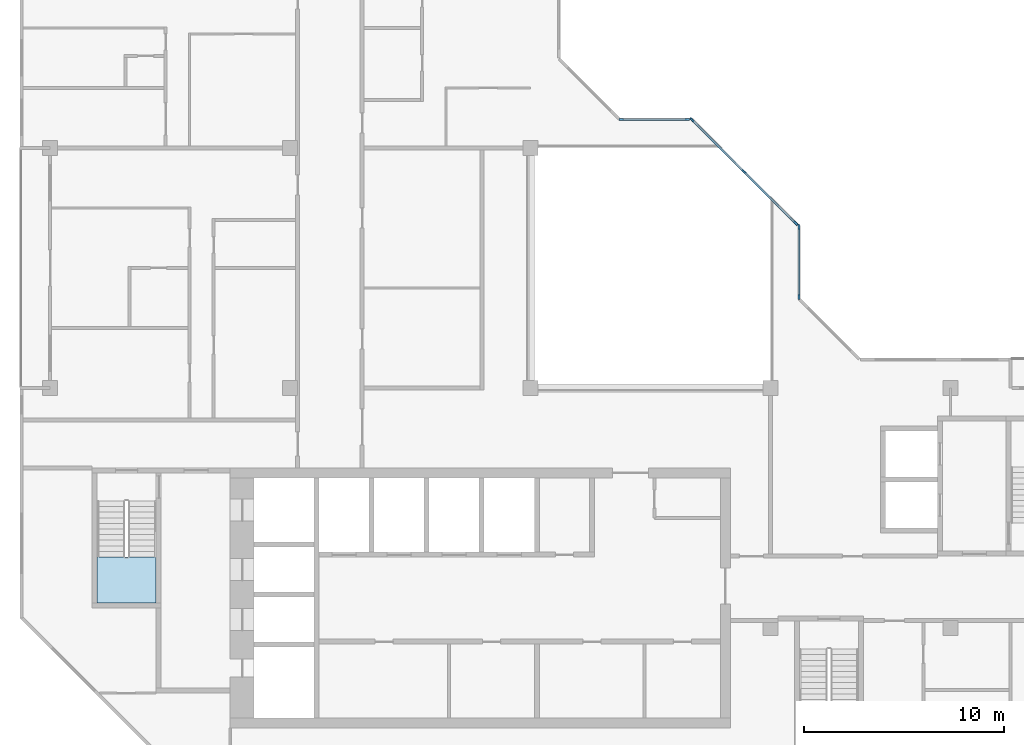
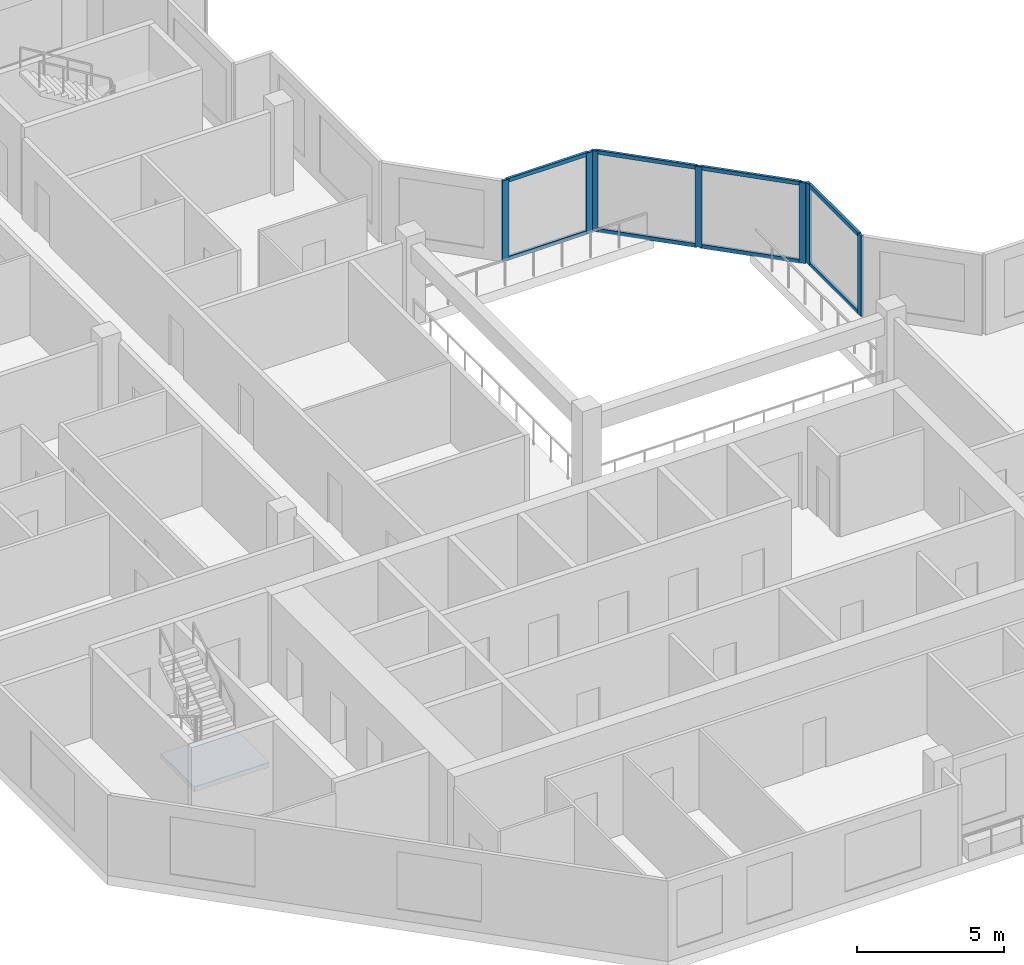
# One storey, part 2 of 12: 15 members, 1 slab, 4 elements without a shape of their own.
"""IFC4 building model written with IfcOpenShell, lengths in metres."""

import ifcopenshell
import ifcopenshell.guid

model = None  # the IFC model being written
_history = None  # IfcOwnerHistory: only IFC2X3 demands one
_inside = {}  # id of a spatial element -> (the spatial element, [elements in it])
_under = {}  # id of a project, library or spatial element -> (it, [spatial elements below it])
_declared = {}  # id of a project -> (the project, [libraries it declares])
_typed = {}  # id of a type object -> (the type object, [elements of that type])
_made_of = {}  # id of a material, layer set ... -> (it, [elements and type objects made of it])


def new_model(schema):
    """Start an empty IFC model of exactly this schema.

    Asked for "IFC4X3", IfcOpenShell would pick the latest addendum, in which some entities
    have other attributes; the version numbers below select the first issue.
    IFC2X3 requires an IfcOwnerHistory on every rooted entity: one is made here for all.
    """
    global model, _history
    if schema == "IFC4X3":
        model = ifcopenshell.file(schema_version=(4, 3, 0, 0))
    else:
        model = ifcopenshell.file(schema=schema)
    _inside.clear()
    _under.clear()
    _declared.clear()
    _typed.clear()
    _made_of.clear()
    _history = None
    if model.schema == "IFC2X3":
        org = make("IfcOrganization", Name="unknown")
        user = make(
            "IfcPersonAndOrganization",
            ThePerson=make("IfcPerson", FamilyName="unknown"),
            TheOrganization=org,
        )
        app = make(
            "IfcApplication",
            ApplicationDeveloper=org,
            Version="unknown",
            ApplicationFullName="unknown",
            ApplicationIdentifier="unknown",
        )
        _history = make(
            "IfcOwnerHistory",
            OwningUser=user,
            OwningApplication=app,
            ChangeAction="ADDED",
            CreationDate=0,
        )
    return model


def make(cls, **values):
    """One entity of the class cls with the attributes given. An attribute that is None is left unset."""
    return model.create_entity(
        cls, **{name: value for name, value in values.items() if value is not None}
    )


def rooted(cls, **values):
    """An entity with a GlobalId (a new one), such as an element, a storey or a relation."""
    return make(cls, GlobalId=ifcopenshell.guid.new(), OwnerHistory=_history, **values)


def si_unit(unit_type, name, prefix=None):
    """IfcSIUnit, for example si_unit("LENGTHUNIT", "METRE", prefix="MILLI")."""
    return make("IfcSIUnit", UnitType=unit_type, Prefix=prefix, Name=name)


def assignment(units):
    """IfcUnitAssignment: the units of a project."""
    return None if units is None else make("IfcUnitAssignment", Units=units)


def point(xyz):
    """IfcCartesianPoint."""
    return None if xyz is None else make("IfcCartesianPoint", Coordinates=xyz)


def direction(xyz):
    """IfcDirection."""
    return None if xyz is None else make("IfcDirection", DirectionRatios=xyz)


def frame(location, z_axis=None, x_axis=None):
    """IfcAxis2Placement3D, a coordinate frame: its origin and axes. An axis left out is left unset."""
    return make(
        "IfcAxis2Placement3D",
        Location=point(location),
        Axis=direction(z_axis),
        RefDirection=direction(x_axis),
    )


def frame_2d(location, x_axis=None):
    """IfcAxis2Placement2D, a coordinate frame in the plane: its origin and x axis."""
    return make(
        "IfcAxis2Placement2D", Location=point(location), RefDirection=direction(x_axis)
    )


def origin():
    """The frame at (0, 0, 0) with its axes left unset."""
    return frame((0.0, 0.0, 0.0))


def origin_2d():
    """The frame at (0, 0) in the plane with its x axis left unset."""
    return frame_2d((0.0, 0.0))


def place(relative_to, where):
    """IfcLocalPlacement: puts the frame where relative to a parent placement (None: the world)."""
    return make(
        "IfcLocalPlacement", PlacementRelTo=relative_to, RelativePlacement=where
    )


def context(
    kind, dimensions, precision=None, world=None, true_north=None, identifier=None
):
    """IfcGeometricRepresentationContext, for example the 3D "Model" context."""
    return make(
        "IfcGeometricRepresentationContext",
        ContextIdentifier=identifier,
        ContextType=kind,
        CoordinateSpaceDimension=dimensions,
        Precision=precision,
        WorldCoordinateSystem=world,
        TrueNorth=true_north,
    )


def subcontext(parent, identifier, kind, view, scale=None):
    """IfcGeometricRepresentationSubContext, for example "Body" below "Model"."""
    return make(
        "IfcGeometricRepresentationSubContext",
        ContextIdentifier=identifier,
        ContextType=kind,
        ParentContext=parent,
        TargetScale=scale,
        TargetView=view,
    )


def project(units=None, contexts=None):
    """IfcProject with its units and contexts."""
    return rooted(
        "IfcProject",
        Name="project",
        RepresentationContexts=contexts,
        UnitsInContext=assignment(units),
    )


def spatial(cls, under=None, at=None, **own):
    """A site, building, storey or space (cls), placed at a placement, below another one or the project."""
    s = rooted(cls, ObjectPlacement=at, **own)
    if under is not None:
        _under.setdefault(under.id(), (under, []))[1].append(s)
    return s


def polyline(points):
    """IfcPolyline through the points."""
    return make("IfcPolyline", Points=[point(p) for p in points])


def profile(cls, at=None, kind="AREA", **sizes):
    """A parametric profile (cls). Its sizes go by their IFC names, for example OverallWidth=200.0."""
    return make(cls, ProfileType=kind, Position=at, **sizes)


def rectangle(**sizes):
    """IfcRectangleProfileDef."""
    return profile("IfcRectangleProfileDef", **sizes)


def outline(outer, holes=None, kind="AREA"):
    """IfcArbitraryClosedProfileDef: a profile drawn as a closed curve; with holes, ...WithVoids."""
    if holes is None:
        return make("IfcArbitraryClosedProfileDef", ProfileType=kind, OuterCurve=outer)
    return make(
        "IfcArbitraryProfileDefWithVoids",
        ProfileType=kind,
        OuterCurve=outer,
        InnerCurves=holes,
    )


def extrude(swept, where, along, depth):
    """IfcExtrudedAreaSolid: the profile swept, set in the frame where, extruded along a direction by depth."""
    return make(
        "IfcExtrudedAreaSolid",
        SweptArea=swept,
        Position=where,
        ExtrudedDirection=direction(along),
        Depth=depth,
    )


def shape(context_of_items, identifier, shape_type, items):
    """IfcShapeRepresentation: the items that make up one representation, for example the "Body"."""
    return make(
        "IfcShapeRepresentation",
        ContextOfItems=context_of_items,
        RepresentationIdentifier=identifier,
        RepresentationType=shape_type,
        Items=items,
    )


def material(Name=None, Category=None):
    """IfcMaterial."""
    return make("IfcMaterial", Name=Name, Category=Category)


def layer(
    of_material, thickness, ventilated=None, Name=None, Category=None, Priority=None
):
    """IfcMaterialLayer: one layer of a wall or slab, of a material (None: an air gap)."""
    return make(
        "IfcMaterialLayer",
        Material=of_material,
        LayerThickness=thickness,
        IsVentilated=ventilated,
        Name=Name,
        Category=Category,
        Priority=Priority,
    )


def layer_set(layers, Name=None):
    """IfcMaterialLayerSet."""
    return make("IfcMaterialLayerSet", MaterialLayers=layers, LayerSetName=Name)


def material_profile(
    of_material, cross_section, Name=None, Category=None, Priority=None
):
    """IfcMaterialProfile: a cross section and its material."""
    return make(
        "IfcMaterialProfile",
        Name=Name,
        Material=of_material,
        Profile=cross_section,
        Priority=Priority,
        Category=Category,
    )


def profile_set(profiles, Name=None, composite=None):
    """IfcMaterialProfileSet."""
    return make(
        "IfcMaterialProfileSet",
        Name=Name,
        MaterialProfiles=profiles,
        CompositeProfile=composite,
    )


def made_of(thing, what):
    """Note that an element or type object is made of a material, layer set ...; save() writes the relation."""
    if what is not None:
        _made_of.setdefault(what.id(), (what, []))[1].append(thing)
    return thing


def type_object(cls, material=None, **own):
    """A type object (cls), such as IfcWallType, which elements share."""
    return made_of(rooted(cls, **own), material)


def element(
    cls,
    number,
    at=None,
    inside=None,
    cuts=None,
    type_object=None,
    material=None,
    context=None,
    identifier="Body",
    shape_type=None,
    held_by="IfcProductDefinitionShape",
    body=None,
    shapes=None,
    **own,
):
    """One element of the class cls, such as IfcWall. Its Tag is "e" and its number.

    at: its placement. inside: the storey or other place that contains it. cuts: it is an
    opening in that element (IfcRelVoidsElement). A single representation is given by context,
    identifier, shape_type and body (its items); several are given by shapes. held_by: the class
    of the entity that holds the representations. save() writes the other relations.
    """
    e = rooted(cls, Tag="e%d" % number, ObjectPlacement=at, **own)
    if body is not None:
        shapes = [shape(context, identifier, shape_type, body)]
    if shapes is not None:
        e.Representation = make(held_by, Representations=shapes)
    if inside is not None:
        _inside.setdefault(inside.id(), (inside, []))[1].append(e)
    if cuts is not None:
        rooted(
            "IfcRelVoidsElement", RelatingBuildingElement=cuts, RelatedOpeningElement=e
        )
    if type_object is not None:
        _typed.setdefault(type_object.id(), (type_object, []))[1].append(e)
    return made_of(e, material)


def aggregate(whole, parts):
    """IfcRelAggregates: a whole, such as a stair, and the parts it consists of."""
    return rooted("IfcRelAggregates", RelatingObject=whole, RelatedObjects=parts)


def save(model, path):
    """Write the relations noted so far, then the file.

    IfcRelAggregates (storeys below a building ...), IfcRelContainedInSpatialStructure (elements
    in a storey), IfcRelDefinesByType, IfcRelAssociatesMaterial and IfcRelDeclares: one each for
    every whole, place, type object, material and project.
    """
    for whole, parts in _under.values():
        aggregate(whole, parts)
    for where, things in _inside.values():
        rooted(
            "IfcRelContainedInSpatialStructure",
            RelatedElements=things,
            RelatingStructure=where,
        )
    for kind, things in _typed.values():
        rooted("IfcRelDefinesByType", RelatedObjects=things, RelatingType=kind)
    for what, things in _made_of.values():
        rooted("IfcRelAssociatesMaterial", RelatedObjects=things, RelatingMaterial=what)
    for by, libraries in _declared.values():
        rooted("IfcRelDeclares", RelatingContext=by, RelatedDefinitions=libraries)
    model.write(path)


model = new_model("IFC4")

# Units and contexts
model_context = context("Model", 3, precision=1e-05, world=origin(), true_north=direction((0.0, 1.0)))
body_context = subcontext(model_context, "Body", "Model", "MODEL_VIEW")
ifc_project = project(units=[si_unit("LENGTHUNIT", "METRE"), si_unit("AREAUNIT", "SQUARE_METRE"), si_unit("VOLUMEUNIT", "CUBIC_METRE"), si_unit("PLANEANGLEUNIT", "RADIAN"), si_unit("MASSUNIT", "GRAM", prefix="KILO")], contexts=[model_context])

# Site, building, storey
site_placement = place(None, origin())
site = spatial("IfcSite", under=ifc_project, at=site_placement, CompositionType="ELEMENT")
building_placement = place(site_placement, origin())
building = spatial("IfcBuilding", under=site, at=building_placement, Name="Chenar Terraces", CompositionType="ELEMENT")
storey_placement = place(building_placement, frame((0.0, 0.0, 357.64990234375)))
storey = spatial("IfcBuildingStorey", under=building, at=storey_placement, Name="L83", CompositionType="ELEMENT", Elevation=357.64990234375)

# Curtain wall, members
ifc_material_1 = material(Name="Aluminium framed glazing", Category="aluminium")
ifc_layer_1 = layer(ifc_material_1, 0.14990234375)
ifc_layer_set_1 = layer_set([ifc_layer_1], Name="Aluminium framed glazing")
curtain_wall_type = type_object("IfcCurtainWallType", Name="Atrium upper-zone curtain wall", PredefinedType="NOTDEFINED", material=ifc_layer_set_1)
placement = place(storey_placement, origin())
curtain_wall_1 = element("IfcCurtainWall", 1, at=placement, inside=storey, type_object=curtain_wall_type, Name="Atrium upper-zone curtain wall", PredefinedType="NOTDEFINED")
ifc_material_2 = material(Name="Aluminium", Category="aluminium")
ifc_material_profile_1 = material_profile(ifc_material_2, rectangle(XDim=0.10009765625, YDim=0.239990234375, at=origin_2d()), Name="Atrium upper-zone glazing mullion 100 x 240")
ifc_profile_set_1 = profile_set([ifc_material_profile_1], Name="Aluminium")
member_type_1 = type_object("IfcMemberType", Name="Atrium upper-zone glazing mullion 100 x 240", PredefinedType="MULLION", material=ifc_profile_set_1)
member_1_placement = place(storey_placement, frame((37.425048828125, 28.550048828125, 0.0), z_axis=(0.0, 0.0, 1.0), x_axis=(-1.0, 0.0, 0.0)))
member_1 = element("IfcMember", 2, at=member_1_placement, type_object=member_type_1, Name="CW8-1 mullion 1", PredefinedType="MULLION", context=body_context, shape_type="SweptSolid", body=[
    extrude(rectangle(XDim=0.10009765625, YDim=0.239990234375, at=origin_2d()), origin(), (0.0, 0.0, 1.0), 3.35009765625),
])
member_2_placement = place(storey_placement, frame((37.425048828125, 32.050048828125, 0.0), z_axis=(0.0, 0.0, 1.0), x_axis=(-1.0, 0.0, 0.0)))
member_2 = element("IfcMember", 3, at=member_2_placement, type_object=member_type_1, Name="CW8-1 mullion 2", PredefinedType="MULLION", context=body_context, shape_type="SweptSolid", body=[
    extrude(rectangle(XDim=0.10009765625, YDim=0.239990234375, at=origin_2d()), origin(), (0.0, 0.0, 1.0), 3.35009765625),
])

curtain_wall_2 = element("IfcCurtainWall", 4, at=placement, inside=storey, type_object=curtain_wall_type, Name="Atrium upper-zone curtain wall", PredefinedType="NOTDEFINED")
member_3_placement = place(storey_placement, frame((37.270263671875, 32.2236328125, 0.0), z_axis=(0.0, 0.0, 1.0), x_axis=(-0.707106781187, -0.707106781187, 0.0)))
member_3 = element("IfcMember", 5, at=member_3_placement, type_object=member_type_1, Name="CW8-2 mullion 1", PredefinedType="MULLION", context=body_context, shape_type="SweptSolid", body=[
    extrude(rectangle(XDim=0.10009765625, YDim=0.239990234375, at=origin_2d()), origin(), (0.0, 0.0, 1.0), 3.35009765625),
])
member_4_placement = place(storey_placement, frame((34.67626953125, 34.817626953125, 0.0), z_axis=(0.0, 0.0, 1.0), x_axis=(-0.707106781187, -0.707106781187, 0.0)))
member_4 = element("IfcMember", 6, at=member_4_placement, type_object=member_type_1, Name="CW8-2 mullion 2", PredefinedType="MULLION", context=body_context, shape_type="SweptSolid", body=[
    extrude(rectangle(XDim=0.10009765625, YDim=0.239990234375, at=origin_2d()), origin(), (0.0, 0.0, 1.0), 3.35009765625),
])
member_5_placement = place(storey_placement, frame((32.082275390625, 37.41162109375, 0.0), z_axis=(0.0, 0.0, 1.0), x_axis=(-0.707106781187, -0.707106781187, 0.0)))
member_5 = element("IfcMember", 7, at=member_5_placement, type_object=member_type_1, Name="CW8-2 mullion 3", PredefinedType="MULLION", context=body_context, shape_type="SweptSolid", body=[
    extrude(rectangle(XDim=0.10009765625, YDim=0.239990234375, at=origin_2d()), origin(), (0.0, 0.0, 1.0), 3.35009765625),
])

curtain_wall_3 = element("IfcCurtainWall", 8, at=placement, inside=storey, type_object=curtain_wall_type, Name="Atrium upper-zone curtain wall", PredefinedType="NOTDEFINED")
member_6_placement = place(storey_placement, frame((31.85009765625, 37.425048828125, 0.0), z_axis=(0.0, 0.0, 1.0), x_axis=(0.0, -1.0, 0.0)))
member_6 = element("IfcMember", 9, at=member_6_placement, type_object=member_type_1, Name="CW8-3 mullion 1", PredefinedType="MULLION", context=body_context, shape_type="SweptSolid", body=[
    extrude(rectangle(XDim=0.10009765625, YDim=0.239990234375, at=origin_2d()), origin(), (0.0, 0.0, 1.0), 3.35009765625),
])
member_7_placement = place(storey_placement, frame((28.550048828125, 37.425048828125, 0.0), z_axis=(0.0, 0.0, 1.0), x_axis=(0.0, -1.0, 0.0)))
member_7 = element("IfcMember", 10, at=member_7_placement, type_object=member_type_1, Name="CW8-3 mullion 2", PredefinedType="MULLION", context=body_context, shape_type="SweptSolid", body=[
    extrude(rectangle(XDim=0.10009765625, YDim=0.239990234375, at=origin_2d()), origin(), (0.0, 0.0, 1.0), 3.35009765625),
])

# Member
ifc_material_3 = material(Name="Aluminium", Category="aluminium")
ifc_material_profile_2 = material_profile(ifc_material_3, rectangle(XDim=0.10009765625, YDim=0.159912109375, at=origin_2d()), Name="Atrium upper-zone glazing transom 100 x 160")
ifc_profile_set_2 = profile_set([ifc_material_profile_2], Name="Aluminium")
member_type_2 = type_object("IfcMemberType", Name="Atrium upper-zone glazing transom 100 x 160", PredefinedType="USERDEFINED", material=ifc_profile_set_2)
member_8_placement = place(storey_placement, frame((37.425048828125, 28.60009765625, 0.050048828125), z_axis=(0.0, 1.0, 0.0), x_axis=(-1.0, 0.0, 0.0)))
member_8 = element("IfcMember", 11, at=member_8_placement, type_object=member_type_2, Name="CW8-1 transom 1.1", ObjectType="TRANSOM", PredefinedType="USERDEFINED", context=body_context, shape_type="SweptSolid", body=[
    extrude(rectangle(XDim=0.10009765625, YDim=0.159912109375, at=origin_2d()), origin(), (0.0, 0.0, 1.0), 3.39990234375),
])

member_9_placement = place(storey_placement, frame((37.425048828125, 28.60009765625, 3.300048828125), z_axis=(0.0, 1.0, 0.0), x_axis=(-1.0, 0.0, 0.0)))
member_9 = element("IfcMember", 12, at=member_9_placement, type_object=member_type_2, Name="CW8-1 transom 1.2", ObjectType="TRANSOM", PredefinedType="USERDEFINED", context=body_context, shape_type="SweptSolid", body=[
    extrude(rectangle(XDim=0.10009765625, YDim=0.159912109375, at=origin_2d()), origin(), (0.0, 0.0, 1.0), 3.39990234375),
])

aggregate(curtain_wall_1, [member_1, member_2, member_8, member_9])

member_10_placement = place(storey_placement, frame((37.23486328125, 32.259033203125, 0.050048828125), z_axis=(-0.707106781187, 0.707106781187, 0.0), x_axis=(-0.707106781187, -0.707106781187, 0.0)))
member_10 = element("IfcMember", 13, at=member_10_placement, type_object=member_type_2, Name="CW8-2 transom 1.1", ObjectType="TRANSOM", PredefinedType="USERDEFINED", context=body_context, shape_type="SweptSolid", body=[
    extrude(rectangle(XDim=0.10009765625, YDim=0.159912109375, at=origin_2d()), origin(), (0.0, 0.0, 1.0), 3.568359375),
])

member_11_placement = place(storey_placement, frame((37.23486328125, 32.259033203125, 3.300048828125), z_axis=(-0.707106781187, 0.707106781187, 0.0), x_axis=(-0.707106781187, -0.707106781187, 0.0)))
member_11 = element("IfcMember", 14, at=member_11_placement, type_object=member_type_2, Name="CW8-2 transom 1.2", ObjectType="TRANSOM", PredefinedType="USERDEFINED", context=body_context, shape_type="SweptSolid", body=[
    extrude(rectangle(XDim=0.10009765625, YDim=0.159912109375, at=origin_2d()), origin(), (0.0, 0.0, 1.0), 3.568359375),
])

member_12_placement = place(storey_placement, frame((34.640869140625, 34.85302734375, 0.050048828125), z_axis=(-0.707106781187, 0.707106781187, 0.0), x_axis=(-0.707106781187, -0.707106781187, 0.0)))
member_12 = element("IfcMember", 15, at=member_12_placement, type_object=member_type_2, Name="CW8-2 transom 2.1", ObjectType="TRANSOM", PredefinedType="USERDEFINED", context=body_context, shape_type="SweptSolid", body=[
    extrude(rectangle(XDim=0.10009765625, YDim=0.159912109375, at=origin_2d()), origin(), (0.0, 0.0, 1.0), 3.568359375),
])

member_13_placement = place(storey_placement, frame((34.640869140625, 34.85302734375, 3.300048828125), z_axis=(-0.707106781187, 0.707106781187, 0.0), x_axis=(-0.707106781187, -0.707106781187, 0.0)))
member_13 = element("IfcMember", 16, at=member_13_placement, type_object=member_type_2, Name="CW8-2 transom 2.2", ObjectType="TRANSOM", PredefinedType="USERDEFINED", context=body_context, shape_type="SweptSolid", body=[
    extrude(rectangle(XDim=0.10009765625, YDim=0.159912109375, at=origin_2d()), origin(), (0.0, 0.0, 1.0), 3.568359375),
])

aggregate(curtain_wall_2, [member_3, member_4, member_5, member_10, member_11, member_12, member_13])

member_14_placement = place(storey_placement, frame((31.800048828125, 37.425048828125, 0.050048828125), z_axis=(-1.0, 0.0, 0.0), x_axis=(0.0, -1.0, 0.0)))
member_14 = element("IfcMember", 17, at=member_14_placement, type_object=member_type_2, Name="CW8-3 transom 1.1", ObjectType="TRANSOM", PredefinedType="USERDEFINED", context=body_context, shape_type="SweptSolid", body=[
    extrude(rectangle(XDim=0.10009765625, YDim=0.159912109375, at=origin_2d()), origin(), (0.0, 0.0, 1.0), 3.199951171875),
])

member_15_placement = place(storey_placement, frame((31.800048828125, 37.425048828125, 3.300048828125), z_axis=(-1.0, 0.0, 0.0), x_axis=(0.0, -1.0, 0.0)))
member_15 = element("IfcMember", 18, at=member_15_placement, type_object=member_type_2, Name="CW8-3 transom 1.2", ObjectType="TRANSOM", PredefinedType="USERDEFINED", context=body_context, shape_type="SweptSolid", body=[
    extrude(rectangle(XDim=0.10009765625, YDim=0.159912109375, at=origin_2d()), origin(), (0.0, 0.0, 1.0), 3.199951171875),
])

aggregate(curtain_wall_3, [member_6, member_7, member_14, member_15])

# Stair, slab
ifc_material_4 = material(Name="Reinforced concrete C40/50", Category="concrete")
stair_type = type_object("IfcStairType", Name="Core stair 1400 half-turn", PredefinedType="HALF_TURN_STAIR", material=ifc_material_4)
stair = element("IfcStair", 19, at=placement, inside=storey, type_object=stair_type, Name="L83 Stair 1", PredefinedType="HALF_TURN_STAIR")
ifc_material_5 = material(Name="Reinforced concrete C40/50", Category="concrete")
ifc_layer_2 = layer(ifc_material_5, 0.199951171875)
ifc_layer_set_2 = layer_set([ifc_layer_2], Name="Reinforced concrete C40/50")
slab_type = type_object("IfcSlabType", Name="Core stair landing 200", PredefinedType="LANDING", material=ifc_layer_set_2)
slab_placement = place(storey_placement, frame((0.0, 0.0, 1.675048828125)))
slab = element("IfcSlab", 20, at=slab_placement, type_object=slab_type, Name="ST1 landing 1", PredefinedType="LANDING", context=body_context, shape_type="SweptSolid", body=[
    extrude(outline(polyline([(2.35009765625, 15.550048828125), (2.35009765625, 13.25), (5.300048828125, 13.25), (5.300048828125, 15.550048828125), (2.35009765625, 15.550048828125)])), origin(), (0.0, 0.0, 1.0), 0.199951171875),
])
aggregate(stair, [slab])

save(model, "model.ifc")
